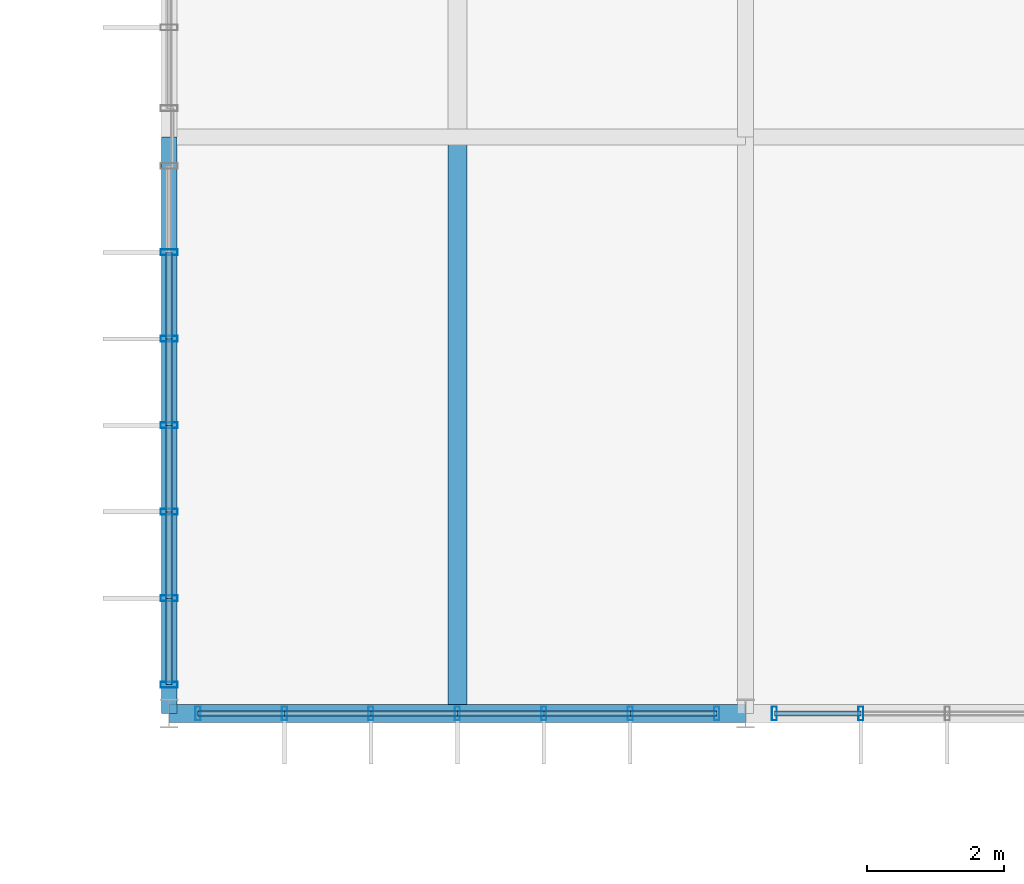
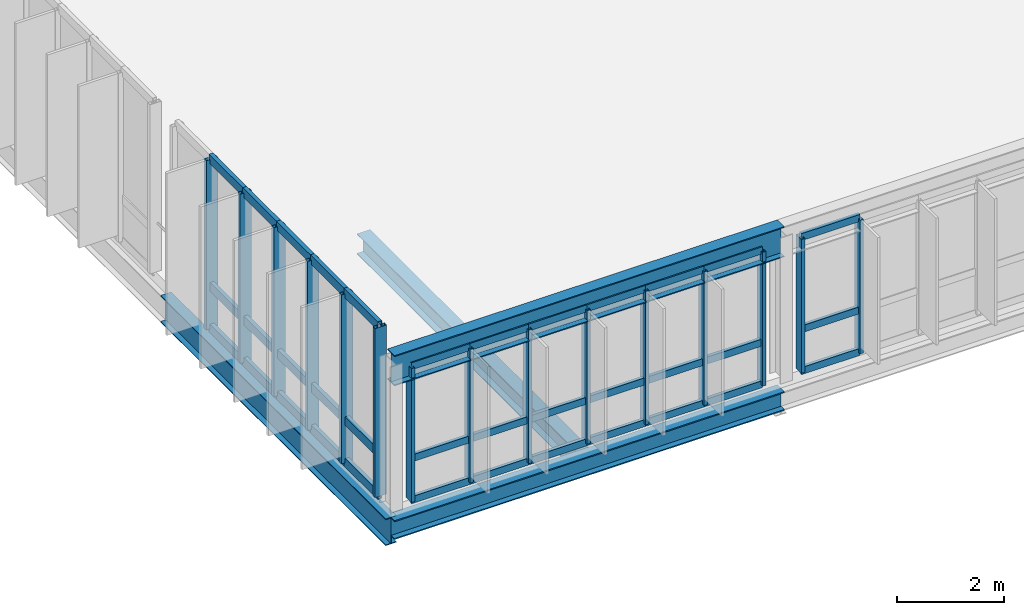
# One storey, part 13 of 107: 51 members, 4 beams, 3 elements without a shape of their own.
"""IFC4 building model written with IfcOpenShell, lengths in metres."""

from ifc_helpers import new_model, si_unit, derived_unit, direction, frame, origin, origin_2d, place, context, subcontext, project, spatial, hollow_rectangle, i_section, extrude, material, layer, layer_set, material_profile, profile_set, type_object, element, aggregate, save


model = new_model("IFC4")

# Units and contexts
model_context = context("Model", 3, precision=1e-05, world=origin(), true_north=direction((0.0, 1.0)))
body_context = subcontext(model_context, "Body", "Model", "MODEL_VIEW")
ifc_project = project(units=[si_unit("LENGTHUNIT", "METRE"), si_unit("AREAUNIT", "SQUARE_METRE"), si_unit("VOLUMEUNIT", "CUBIC_METRE"), si_unit("PLANEANGLEUNIT", "RADIAN"), si_unit("MASSUNIT", "GRAM", prefix="KILO"), derived_unit("THERMALTRANSMITTANCEUNIT", [(si_unit("MASSUNIT", "GRAM", prefix="KILO"), 1), (si_unit("TIMEUNIT", "SECOND"), -3), (si_unit("THERMODYNAMICTEMPERATUREUNIT", "KELVIN"), -1)])], contexts=[model_context])

# Site, building, storey
site_placement = place(None, origin())
site = spatial("IfcSite", under=ifc_project, at=site_placement, CompositionType="ELEMENT")
building_placement = place(site_placement, origin())
building = spatial("IfcBuilding", under=site, at=building_placement, Name="Makaiwela Harbour Ferry Terminal", CompositionType="ELEMENT")
storey_placement = place(building_placement, frame((0.0, 0.0, 9.60009765625)))
storey = spatial("IfcBuildingStorey", under=building, at=storey_placement, Name="L02", CompositionType="ELEMENT", Elevation=9.60009765625)

# Curtain wall, members
ifc_material_1 = material(Name="Marine anodised aluminium 6063-T6", Category="aluminium")
ifc_layer_1 = layer(ifc_material_1, 0.199951171875)
ifc_layer_set_1 = layer_set([ifc_layer_1], Name="Marine anodised aluminium 6063-T6")
curtain_wall_type_1 = type_object("IfcCurtainWallType", Name="ENV-CW-11", PredefinedType="USERDEFINED", material=ifc_layer_set_1)
curtain_wall_1_placement = place(storey_placement, origin())
curtain_wall_1 = element("IfcCurtainWall", 1, at=curtain_wall_1_placement, inside=storey, type_object=curtain_wall_type_1, Name="Unitised Curtain Wall CWA-099", ObjectType="UNITIZED CURTAIN WALL", PredefinedType="USERDEFINED")
ifc_material_profile_1 = material_profile(ifc_material_1, hollow_rectangle(XDim=0.074951171875, YDim=0.199951171875, WallThickness=0.00390625, at=origin_2d()), Name="CWM-200X75")
ifc_profile_set_1 = profile_set([ifc_material_profile_1], Name="Marine anodised aluminium 6063-T6")
member_type_1 = type_object("IfcMemberType", Name="CW-MUL-200", PredefinedType="MULLION", material=ifc_profile_set_1)
member_1_placement = place(storey_placement, frame((37.3798828125, 25.199951171875, 0.0), z_axis=(0.0, 0.0, 1.0), x_axis=(1.0, 0.0, 0.0)))
member_1 = element("IfcMember", 2, at=member_1_placement, type_object=member_type_1, Name="Curtain Wall Mullion CWA-099-1", PredefinedType="MULLION", context=body_context, shape_type="SweptSolid", body=[
    extrude(hollow_rectangle(XDim=0.074951171875, YDim=0.199951171875, WallThickness=0.00390625, at=origin_2d()), origin(), (0.0, 0.0, 1.0), 3.0498046875),
])
member_2_placement = place(storey_placement, frame((36.1201171875, 25.199951171875, 0.0), z_axis=(0.0, 0.0, 1.0), x_axis=(1.0, 0.0, 0.0)))
member_2 = element("IfcMember", 3, at=member_2_placement, type_object=member_type_1, Name="Curtain Wall Mullion CWA-099-2", PredefinedType="MULLION", context=body_context, shape_type="SweptSolid", body=[
    extrude(hollow_rectangle(XDim=0.074951171875, YDim=0.199951171875, WallThickness=0.00390625, at=origin_2d()), origin(), (0.0, 0.0, 1.0), 3.0498046875),
])
member_3_placement = place(storey_placement, frame((34.860107421875, 25.199951171875, 0.0), z_axis=(0.0, 0.0, 1.0), x_axis=(1.0, 0.0, 0.0)))
member_3 = element("IfcMember", 4, at=member_3_placement, type_object=member_type_1, Name="Curtain Wall Mullion CWA-099-3", PredefinedType="MULLION", context=body_context, shape_type="SweptSolid", body=[
    extrude(hollow_rectangle(XDim=0.074951171875, YDim=0.199951171875, WallThickness=0.00390625, at=origin_2d()), origin(), (0.0, 0.0, 1.0), 3.0498046875),
])
member_4_placement = place(storey_placement, frame((33.60009765625, 25.199951171875, 0.0), z_axis=(0.0, 0.0, 1.0), x_axis=(1.0, 0.0, 0.0)))
member_4 = element("IfcMember", 5, at=member_4_placement, type_object=member_type_1, Name="Curtain Wall Mullion CWA-099-4", PredefinedType="MULLION", context=body_context, shape_type="SweptSolid", body=[
    extrude(hollow_rectangle(XDim=0.074951171875, YDim=0.199951171875, WallThickness=0.00390625, at=origin_2d()), origin(), (0.0, 0.0, 1.0), 3.0498046875),
])
member_5_placement = place(storey_placement, frame((32.340087890625, 25.199951171875, 0.0), z_axis=(0.0, 0.0, 1.0), x_axis=(1.0, 0.0, 0.0)))
member_5 = element("IfcMember", 6, at=member_5_placement, type_object=member_type_1, Name="Curtain Wall Mullion CWA-099-5", PredefinedType="MULLION", context=body_context, shape_type="SweptSolid", body=[
    extrude(hollow_rectangle(XDim=0.074951171875, YDim=0.199951171875, WallThickness=0.00390625, at=origin_2d()), origin(), (0.0, 0.0, 1.0), 3.0498046875),
])
member_6_placement = place(storey_placement, frame((31.080078125, 25.199951171875, 0.0), z_axis=(0.0, 0.0, 1.0), x_axis=(1.0, 0.0, 0.0)))
member_6 = element("IfcMember", 7, at=member_6_placement, type_object=member_type_1, Name="Curtain Wall Mullion CWA-099-6", PredefinedType="MULLION", context=body_context, shape_type="SweptSolid", body=[
    extrude(hollow_rectangle(XDim=0.074951171875, YDim=0.199951171875, WallThickness=0.00390625, at=origin_2d()), origin(), (0.0, 0.0, 1.0), 3.0498046875),
])
member_7_placement = place(storey_placement, frame((29.820068359375, 25.199951171875, 0.0), z_axis=(0.0, 0.0, 1.0), x_axis=(1.0, 0.0, 0.0)))
member_7 = element("IfcMember", 8, at=member_7_placement, type_object=member_type_1, Name="Curtain Wall Mullion CWA-099-7", PredefinedType="MULLION", context=body_context, shape_type="SweptSolid", body=[
    extrude(hollow_rectangle(XDim=0.074951171875, YDim=0.199951171875, WallThickness=0.00390625, at=origin_2d()), origin(), (0.0, 0.0, 1.0), 3.0498046875),
])

curtain_wall_2_placement = place(storey_placement, origin())
curtain_wall_2 = element("IfcCurtainWall", 9, at=curtain_wall_2_placement, inside=storey, type_object=curtain_wall_type_1, Name="Unitised Curtain Wall CWA-102", ObjectType="UNITIZED CURTAIN WALL", PredefinedType="USERDEFINED")
member_8_placement = place(storey_placement, frame((39.47998046875, 25.199951171875, 0.0), z_axis=(0.0, 0.0, 1.0), x_axis=(1.0, 0.0, 0.0)))
member_8 = element("IfcMember", 10, at=member_8_placement, type_object=member_type_1, Name="Curtain Wall Mullion CWA-102-6", PredefinedType="MULLION", context=body_context, shape_type="SweptSolid", body=[
    extrude(hollow_rectangle(XDim=0.074951171875, YDim=0.199951171875, WallThickness=0.00390625, at=origin_2d()), origin(), (0.0, 0.0, 1.0), 3.0498046875),
])
member_9_placement = place(storey_placement, frame((38.219970703125, 25.199951171875, 0.0), z_axis=(0.0, 0.0, 1.0), x_axis=(1.0, 0.0, 0.0)))
member_9 = element("IfcMember", 11, at=member_9_placement, type_object=member_type_1, Name="Curtain Wall Mullion CWA-102-7", PredefinedType="MULLION", context=body_context, shape_type="SweptSolid", body=[
    extrude(hollow_rectangle(XDim=0.074951171875, YDim=0.199951171875, WallThickness=0.00390625, at=origin_2d()), origin(), (0.0, 0.0, 1.0), 3.0498046875),
])

ifc_layer_2 = layer(ifc_material_1, 0.199951171875)
ifc_layer_set_2 = layer_set([ifc_layer_2], Name="Marine anodised aluminium 6063-T6")
curtain_wall_type_2 = type_object("IfcCurtainWallType", Name="ENV-CW-09", PredefinedType="USERDEFINED", material=ifc_layer_set_2)
curtain_wall_3_placement = place(storey_placement, origin())
curtain_wall_3 = element("IfcCurtainWall", 12, at=curtain_wall_3_placement, inside=storey, type_object=curtain_wall_type_2, Name="Unitised Curtain Wall CWA-116", ObjectType="UNITIZED CURTAIN WALL", PredefinedType="USERDEFINED")
ifc_material_profile_2 = material_profile(ifc_material_1, hollow_rectangle(XDim=0.0849609375, YDim=0.25, WallThickness=0.0048828125, at=origin_2d()), Name="CWM-250X85")
ifc_profile_set_2 = profile_set([ifc_material_profile_2], Name="Marine anodised aluminium 6063-T6")
member_type_2 = type_object("IfcMemberType", Name="CW-MUL-250", PredefinedType="MULLION", material=ifc_profile_set_2)
member_10_placement = place(storey_placement, frame((29.39990234375, 25.6201171875, 0.0), z_axis=(0.0, 0.0, 1.0), x_axis=(0.0, 1.0, 0.0)))
member_10 = element("IfcMember", 13, at=member_10_placement, type_object=member_type_2, Name="Curtain Wall Mullion CWA-116-1", PredefinedType="MULLION", context=body_context, shape_type="SweptSolid", body=[
    extrude(hollow_rectangle(XDim=0.0849609375, YDim=0.25, WallThickness=0.0048828125, at=origin_2d()), origin(), (0.0, 0.0, 1.0), 3.849853515625),
])
member_11_placement = place(storey_placement, frame((29.39990234375, 26.8798828125, 0.0), z_axis=(0.0, 0.0, 1.0), x_axis=(0.0, 1.0, 0.0)))
member_11 = element("IfcMember", 14, at=member_11_placement, type_object=member_type_2, Name="Curtain Wall Mullion CWA-116-2", PredefinedType="MULLION", context=body_context, shape_type="SweptSolid", body=[
    extrude(hollow_rectangle(XDim=0.0849609375, YDim=0.25, WallThickness=0.0048828125, at=origin_2d()), origin(), (0.0, 0.0, 1.0), 3.849853515625),
])
member_12_placement = place(storey_placement, frame((29.39990234375, 28.139892578125, 0.0), z_axis=(0.0, 0.0, 1.0), x_axis=(0.0, 1.0, 0.0)))
member_12 = element("IfcMember", 15, at=member_12_placement, type_object=member_type_2, Name="Curtain Wall Mullion CWA-116-3", PredefinedType="MULLION", context=body_context, shape_type="SweptSolid", body=[
    extrude(hollow_rectangle(XDim=0.0849609375, YDim=0.25, WallThickness=0.0048828125, at=origin_2d()), origin(), (0.0, 0.0, 1.0), 3.849853515625),
])
member_13_placement = place(storey_placement, frame((29.39990234375, 29.39990234375, 0.0), z_axis=(0.0, 0.0, 1.0), x_axis=(0.0, 1.0, 0.0)))
member_13 = element("IfcMember", 16, at=member_13_placement, type_object=member_type_2, Name="Curtain Wall Mullion CWA-116-4", PredefinedType="MULLION", context=body_context, shape_type="SweptSolid", body=[
    extrude(hollow_rectangle(XDim=0.0849609375, YDim=0.25, WallThickness=0.0048828125, at=origin_2d()), origin(), (0.0, 0.0, 1.0), 3.849853515625),
])
member_14_placement = place(storey_placement, frame((29.39990234375, 30.659912109375, 0.0), z_axis=(0.0, 0.0, 1.0), x_axis=(0.0, 1.0, 0.0)))
member_14 = element("IfcMember", 17, at=member_14_placement, type_object=member_type_2, Name="Curtain Wall Mullion CWA-116-5", PredefinedType="MULLION", context=body_context, shape_type="SweptSolid", body=[
    extrude(hollow_rectangle(XDim=0.0849609375, YDim=0.25, WallThickness=0.0048828125, at=origin_2d()), origin(), (0.0, 0.0, 1.0), 3.849853515625),
])
member_15_placement = place(storey_placement, frame((29.39990234375, 31.919921875, 0.0), z_axis=(0.0, 0.0, 1.0), x_axis=(0.0, 1.0, 0.0)))
member_15 = element("IfcMember", 18, at=member_15_placement, type_object=member_type_2, Name="Curtain Wall Mullion CWA-116-6", PredefinedType="MULLION", context=body_context, shape_type="SweptSolid", body=[
    extrude(hollow_rectangle(XDim=0.0849609375, YDim=0.25, WallThickness=0.0048828125, at=origin_2d()), origin(), (0.0, 0.0, 1.0), 3.849853515625),
])

# Member
ifc_material_profile_3 = material_profile(ifc_material_1, hollow_rectangle(XDim=0.074951171875, YDim=0.159912109375, WallThickness=0.00390625, at=origin_2d()), Name="CWT-160X75")
ifc_profile_set_3 = profile_set([ifc_material_profile_3], Name="Marine anodised aluminium 6063-T6")
member_type_3 = type_object("IfcMemberType", Name="CW-TRN-160", PredefinedType="USERDEFINED", material=ifc_profile_set_3)
member_16_placement = place(storey_placement, frame((37.3798828125, 25.199951171875, 0.0), z_axis=(-1.0, 0.0, 0.0), x_axis=(0.0, -1.0, 0.0)))
member_16 = element("IfcMember", 19, at=member_16_placement, type_object=member_type_3, Name="Curtain Wall Transom CWA-099-1-1", ObjectType="TRANSOM", PredefinedType="USERDEFINED", context=body_context, shape_type="SweptSolid", body=[
    extrude(hollow_rectangle(XDim=0.074951171875, YDim=0.159912109375, WallThickness=0.00390625, at=origin_2d()), origin(), (0.0, 0.0, 1.0), 1.259765625),
])

member_17_placement = place(storey_placement, frame((37.3798828125, 25.199951171875, 0.949951171875), z_axis=(-1.0, 0.0, 0.0), x_axis=(0.0, -1.0, 0.0)))
member_17 = element("IfcMember", 20, at=member_17_placement, type_object=member_type_3, Name="Curtain Wall Transom CWA-099-1-2", ObjectType="TRANSOM", PredefinedType="USERDEFINED", context=body_context, shape_type="SweptSolid", body=[
    extrude(hollow_rectangle(XDim=0.074951171875, YDim=0.159912109375, WallThickness=0.00390625, at=origin_2d()), origin(), (0.0, 0.0, 1.0), 1.259765625),
])

member_18_placement = place(storey_placement, frame((37.3798828125, 25.199951171875, 3.0498046875), z_axis=(-1.0, 0.0, 0.0), x_axis=(0.0, -1.0, 0.0)))
member_18 = element("IfcMember", 21, at=member_18_placement, type_object=member_type_3, Name="Curtain Wall Transom CWA-099-1-3", ObjectType="TRANSOM", PredefinedType="USERDEFINED", context=body_context, shape_type="SweptSolid", body=[
    extrude(hollow_rectangle(XDim=0.074951171875, YDim=0.159912109375, WallThickness=0.00390625, at=origin_2d()), origin(), (0.0, 0.0, 1.0), 1.259765625),
])

member_19_placement = place(storey_placement, frame((36.1201171875, 25.199951171875, 0.0), z_axis=(-1.0, 0.0, 0.0), x_axis=(0.0, -1.0, 0.0)))
member_19 = element("IfcMember", 22, at=member_19_placement, type_object=member_type_3, Name="Curtain Wall Transom CWA-099-2-1", ObjectType="TRANSOM", PredefinedType="USERDEFINED", context=body_context, shape_type="SweptSolid", body=[
    extrude(hollow_rectangle(XDim=0.074951171875, YDim=0.159912109375, WallThickness=0.00390625, at=origin_2d()), origin(), (0.0, 0.0, 1.0), 1.260009765625),
])

member_20_placement = place(storey_placement, frame((36.1201171875, 25.199951171875, 0.949951171875), z_axis=(-1.0, 0.0, 0.0), x_axis=(0.0, -1.0, 0.0)))
member_20 = element("IfcMember", 23, at=member_20_placement, type_object=member_type_3, Name="Curtain Wall Transom CWA-099-2-2", ObjectType="TRANSOM", PredefinedType="USERDEFINED", context=body_context, shape_type="SweptSolid", body=[
    extrude(hollow_rectangle(XDim=0.074951171875, YDim=0.159912109375, WallThickness=0.00390625, at=origin_2d()), origin(), (0.0, 0.0, 1.0), 1.260009765625),
])

member_21_placement = place(storey_placement, frame((36.1201171875, 25.199951171875, 3.0498046875), z_axis=(-1.0, 0.0, 0.0), x_axis=(0.0, -1.0, 0.0)))
member_21 = element("IfcMember", 24, at=member_21_placement, type_object=member_type_3, Name="Curtain Wall Transom CWA-099-2-3", ObjectType="TRANSOM", PredefinedType="USERDEFINED", context=body_context, shape_type="SweptSolid", body=[
    extrude(hollow_rectangle(XDim=0.074951171875, YDim=0.159912109375, WallThickness=0.00390625, at=origin_2d()), origin(), (0.0, 0.0, 1.0), 1.260009765625),
])

member_22_placement = place(storey_placement, frame((34.860107421875, 25.199951171875, 0.0), z_axis=(-1.0, 0.0, 0.0), x_axis=(0.0, -1.0, 0.0)))
member_22 = element("IfcMember", 25, at=member_22_placement, type_object=member_type_3, Name="Curtain Wall Transom CWA-099-3-1", ObjectType="TRANSOM", PredefinedType="USERDEFINED", context=body_context, shape_type="SweptSolid", body=[
    extrude(hollow_rectangle(XDim=0.074951171875, YDim=0.159912109375, WallThickness=0.00390625, at=origin_2d()), origin(), (0.0, 0.0, 1.0), 1.260009765625),
])

member_23_placement = place(storey_placement, frame((34.860107421875, 25.199951171875, 0.949951171875), z_axis=(-1.0, 0.0, 0.0), x_axis=(0.0, -1.0, 0.0)))
member_23 = element("IfcMember", 26, at=member_23_placement, type_object=member_type_3, Name="Curtain Wall Transom CWA-099-3-2", ObjectType="TRANSOM", PredefinedType="USERDEFINED", context=body_context, shape_type="SweptSolid", body=[
    extrude(hollow_rectangle(XDim=0.074951171875, YDim=0.159912109375, WallThickness=0.00390625, at=origin_2d()), origin(), (0.0, 0.0, 1.0), 1.260009765625),
])

member_24_placement = place(storey_placement, frame((34.860107421875, 25.199951171875, 3.0498046875), z_axis=(-1.0, 0.0, 0.0), x_axis=(0.0, -1.0, 0.0)))
member_24 = element("IfcMember", 27, at=member_24_placement, type_object=member_type_3, Name="Curtain Wall Transom CWA-099-3-3", ObjectType="TRANSOM", PredefinedType="USERDEFINED", context=body_context, shape_type="SweptSolid", body=[
    extrude(hollow_rectangle(XDim=0.074951171875, YDim=0.159912109375, WallThickness=0.00390625, at=origin_2d()), origin(), (0.0, 0.0, 1.0), 1.260009765625),
])

member_25_placement = place(storey_placement, frame((33.60009765625, 25.199951171875, 0.0), z_axis=(-1.0, 0.0, 0.0), x_axis=(0.0, -1.0, 0.0)))
member_25 = element("IfcMember", 28, at=member_25_placement, type_object=member_type_3, Name="Curtain Wall Transom CWA-099-4-1", ObjectType="TRANSOM", PredefinedType="USERDEFINED", context=body_context, shape_type="SweptSolid", body=[
    extrude(hollow_rectangle(XDim=0.074951171875, YDim=0.159912109375, WallThickness=0.00390625, at=origin_2d()), origin(), (0.0, 0.0, 1.0), 1.260009765625),
])

member_26_placement = place(storey_placement, frame((33.60009765625, 25.199951171875, 0.949951171875), z_axis=(-1.0, 0.0, 0.0), x_axis=(0.0, -1.0, 0.0)))
member_26 = element("IfcMember", 29, at=member_26_placement, type_object=member_type_3, Name="Curtain Wall Transom CWA-099-4-2", ObjectType="TRANSOM", PredefinedType="USERDEFINED", context=body_context, shape_type="SweptSolid", body=[
    extrude(hollow_rectangle(XDim=0.074951171875, YDim=0.159912109375, WallThickness=0.00390625, at=origin_2d()), origin(), (0.0, 0.0, 1.0), 1.260009765625),
])

member_27_placement = place(storey_placement, frame((33.60009765625, 25.199951171875, 3.0498046875), z_axis=(-1.0, 0.0, 0.0), x_axis=(0.0, -1.0, 0.0)))
member_27 = element("IfcMember", 30, at=member_27_placement, type_object=member_type_3, Name="Curtain Wall Transom CWA-099-4-3", ObjectType="TRANSOM", PredefinedType="USERDEFINED", context=body_context, shape_type="SweptSolid", body=[
    extrude(hollow_rectangle(XDim=0.074951171875, YDim=0.159912109375, WallThickness=0.00390625, at=origin_2d()), origin(), (0.0, 0.0, 1.0), 1.260009765625),
])

member_28_placement = place(storey_placement, frame((32.340087890625, 25.199951171875, 0.0), z_axis=(-1.0, 0.0, 0.0), x_axis=(0.0, -1.0, 0.0)))
member_28 = element("IfcMember", 31, at=member_28_placement, type_object=member_type_3, Name="Curtain Wall Transom CWA-099-5-1", ObjectType="TRANSOM", PredefinedType="USERDEFINED", context=body_context, shape_type="SweptSolid", body=[
    extrude(hollow_rectangle(XDim=0.074951171875, YDim=0.159912109375, WallThickness=0.00390625, at=origin_2d()), origin(), (0.0, 0.0, 1.0), 1.260009765625),
])

member_29_placement = place(storey_placement, frame((32.340087890625, 25.199951171875, 0.949951171875), z_axis=(-1.0, 0.0, 0.0), x_axis=(0.0, -1.0, 0.0)))
member_29 = element("IfcMember", 32, at=member_29_placement, type_object=member_type_3, Name="Curtain Wall Transom CWA-099-5-2", ObjectType="TRANSOM", PredefinedType="USERDEFINED", context=body_context, shape_type="SweptSolid", body=[
    extrude(hollow_rectangle(XDim=0.074951171875, YDim=0.159912109375, WallThickness=0.00390625, at=origin_2d()), origin(), (0.0, 0.0, 1.0), 1.260009765625),
])

member_30_placement = place(storey_placement, frame((32.340087890625, 25.199951171875, 3.0498046875), z_axis=(-1.0, 0.0, 0.0), x_axis=(0.0, -1.0, 0.0)))
member_30 = element("IfcMember", 33, at=member_30_placement, type_object=member_type_3, Name="Curtain Wall Transom CWA-099-5-3", ObjectType="TRANSOM", PredefinedType="USERDEFINED", context=body_context, shape_type="SweptSolid", body=[
    extrude(hollow_rectangle(XDim=0.074951171875, YDim=0.159912109375, WallThickness=0.00390625, at=origin_2d()), origin(), (0.0, 0.0, 1.0), 1.260009765625),
])

member_31_placement = place(storey_placement, frame((31.080078125, 25.199951171875, 0.0), z_axis=(-1.0, 0.0, 0.0), x_axis=(0.0, -1.0, 0.0)))
member_31 = element("IfcMember", 34, at=member_31_placement, type_object=member_type_3, Name="Curtain Wall Transom CWA-099-6-1", ObjectType="TRANSOM", PredefinedType="USERDEFINED", context=body_context, shape_type="SweptSolid", body=[
    extrude(hollow_rectangle(XDim=0.074951171875, YDim=0.159912109375, WallThickness=0.00390625, at=origin_2d()), origin(), (0.0, 0.0, 1.0), 1.260009765625),
])

member_32_placement = place(storey_placement, frame((31.080078125, 25.199951171875, 0.949951171875), z_axis=(-1.0, 0.0, 0.0), x_axis=(0.0, -1.0, 0.0)))
member_32 = element("IfcMember", 35, at=member_32_placement, type_object=member_type_3, Name="Curtain Wall Transom CWA-099-6-2", ObjectType="TRANSOM", PredefinedType="USERDEFINED", context=body_context, shape_type="SweptSolid", body=[
    extrude(hollow_rectangle(XDim=0.074951171875, YDim=0.159912109375, WallThickness=0.00390625, at=origin_2d()), origin(), (0.0, 0.0, 1.0), 1.260009765625),
])

member_33_placement = place(storey_placement, frame((31.080078125, 25.199951171875, 3.0498046875), z_axis=(-1.0, 0.0, 0.0), x_axis=(0.0, -1.0, 0.0)))
member_33 = element("IfcMember", 36, at=member_33_placement, type_object=member_type_3, Name="Curtain Wall Transom CWA-099-6-3", ObjectType="TRANSOM", PredefinedType="USERDEFINED", context=body_context, shape_type="SweptSolid", body=[
    extrude(hollow_rectangle(XDim=0.074951171875, YDim=0.159912109375, WallThickness=0.00390625, at=origin_2d()), origin(), (0.0, 0.0, 1.0), 1.260009765625),
])

aggregate(curtain_wall_1, [member_1, member_2, member_3, member_4, member_5, member_6, member_7, member_16, member_17, member_18, member_19, member_20, member_21, member_22, member_23, member_24, member_25, member_26, member_27, member_28, member_29, member_30, member_31, member_32, member_33])

member_34_placement = place(storey_placement, frame((39.47998046875, 25.199951171875, 0.0), z_axis=(-1.0, 0.0, 0.0), x_axis=(0.0, -1.0, 0.0)))
member_34 = element("IfcMember", 37, at=member_34_placement, type_object=member_type_3, Name="Curtain Wall Transom CWA-102-6-1", ObjectType="TRANSOM", PredefinedType="USERDEFINED", context=body_context, shape_type="SweptSolid", body=[
    extrude(hollow_rectangle(XDim=0.074951171875, YDim=0.159912109375, WallThickness=0.00390625, at=origin_2d()), origin(), (0.0, 0.0, 1.0), 1.260009765625),
])

member_35_placement = place(storey_placement, frame((39.47998046875, 25.199951171875, 0.949951171875), z_axis=(-1.0, 0.0, 0.0), x_axis=(0.0, -1.0, 0.0)))
member_35 = element("IfcMember", 38, at=member_35_placement, type_object=member_type_3, Name="Curtain Wall Transom CWA-102-6-2", ObjectType="TRANSOM", PredefinedType="USERDEFINED", context=body_context, shape_type="SweptSolid", body=[
    extrude(hollow_rectangle(XDim=0.074951171875, YDim=0.159912109375, WallThickness=0.00390625, at=origin_2d()), origin(), (0.0, 0.0, 1.0), 1.260009765625),
])

member_36_placement = place(storey_placement, frame((39.47998046875, 25.199951171875, 3.0498046875), z_axis=(-1.0, 0.0, 0.0), x_axis=(0.0, -1.0, 0.0)))
member_36 = element("IfcMember", 39, at=member_36_placement, type_object=member_type_3, Name="Curtain Wall Transom CWA-102-6-3", ObjectType="TRANSOM", PredefinedType="USERDEFINED", context=body_context, shape_type="SweptSolid", body=[
    extrude(hollow_rectangle(XDim=0.074951171875, YDim=0.159912109375, WallThickness=0.00390625, at=origin_2d()), origin(), (0.0, 0.0, 1.0), 1.260009765625),
])

aggregate(curtain_wall_2, [member_8, member_9, member_34, member_35, member_36])

ifc_material_profile_4 = material_profile(ifc_material_1, hollow_rectangle(XDim=0.0849609375, YDim=0.199951171875, WallThickness=0.0048828125, at=origin_2d()), Name="CWT-200X85")
ifc_profile_set_4 = profile_set([ifc_material_profile_4], Name="Marine anodised aluminium 6063-T6")
member_type_4 = type_object("IfcMemberType", Name="CW-TRN-200", PredefinedType="USERDEFINED", material=ifc_profile_set_4)
member_37_placement = place(storey_placement, frame((29.39990234375, 25.6201171875, 0.0), z_axis=(0.0, 1.0, 0.0), x_axis=(-1.0, 0.0, 0.0)))
member_37 = element("IfcMember", 40, at=member_37_placement, type_object=member_type_4, Name="Curtain Wall Transom CWA-116-1-1", ObjectType="TRANSOM", PredefinedType="USERDEFINED", context=body_context, shape_type="SweptSolid", body=[
    extrude(hollow_rectangle(XDim=0.0849609375, YDim=0.199951171875, WallThickness=0.0048828125, at=origin_2d()), origin(), (0.0, 0.0, 1.0), 1.259765625),
])

member_38_placement = place(storey_placement, frame((29.39990234375, 25.6201171875, 0.949951171875), z_axis=(0.0, 1.0, 0.0), x_axis=(-1.0, 0.0, 0.0)))
member_38 = element("IfcMember", 41, at=member_38_placement, type_object=member_type_4, Name="Curtain Wall Transom CWA-116-1-2", ObjectType="TRANSOM", PredefinedType="USERDEFINED", context=body_context, shape_type="SweptSolid", body=[
    extrude(hollow_rectangle(XDim=0.0849609375, YDim=0.199951171875, WallThickness=0.0048828125, at=origin_2d()), origin(), (0.0, 0.0, 1.0), 1.259765625),
])

member_39_placement = place(storey_placement, frame((29.39990234375, 25.6201171875, 3.849853515625), z_axis=(0.0, 1.0, 0.0), x_axis=(-1.0, 0.0, 0.0)))
member_39 = element("IfcMember", 42, at=member_39_placement, type_object=member_type_4, Name="Curtain Wall Transom CWA-116-1-3", ObjectType="TRANSOM", PredefinedType="USERDEFINED", context=body_context, shape_type="SweptSolid", body=[
    extrude(hollow_rectangle(XDim=0.0849609375, YDim=0.199951171875, WallThickness=0.0048828125, at=origin_2d()), origin(), (0.0, 0.0, 1.0), 1.259765625),
])

member_40_placement = place(storey_placement, frame((29.39990234375, 26.8798828125, 0.0), z_axis=(0.0, 1.0, 0.0), x_axis=(-1.0, 0.0, 0.0)))
member_40 = element("IfcMember", 43, at=member_40_placement, type_object=member_type_4, Name="Curtain Wall Transom CWA-116-2-1", ObjectType="TRANSOM", PredefinedType="USERDEFINED", context=body_context, shape_type="SweptSolid", body=[
    extrude(hollow_rectangle(XDim=0.0849609375, YDim=0.199951171875, WallThickness=0.0048828125, at=origin_2d()), origin(), (0.0, 0.0, 1.0), 1.260009765625),
])

member_41_placement = place(storey_placement, frame((29.39990234375, 26.8798828125, 0.949951171875), z_axis=(0.0, 1.0, 0.0), x_axis=(-1.0, 0.0, 0.0)))
member_41 = element("IfcMember", 44, at=member_41_placement, type_object=member_type_4, Name="Curtain Wall Transom CWA-116-2-2", ObjectType="TRANSOM", PredefinedType="USERDEFINED", context=body_context, shape_type="SweptSolid", body=[
    extrude(hollow_rectangle(XDim=0.0849609375, YDim=0.199951171875, WallThickness=0.0048828125, at=origin_2d()), origin(), (0.0, 0.0, 1.0), 1.260009765625),
])

member_42_placement = place(storey_placement, frame((29.39990234375, 26.8798828125, 3.849853515625), z_axis=(0.0, 1.0, 0.0), x_axis=(-1.0, 0.0, 0.0)))
member_42 = element("IfcMember", 45, at=member_42_placement, type_object=member_type_4, Name="Curtain Wall Transom CWA-116-2-3", ObjectType="TRANSOM", PredefinedType="USERDEFINED", context=body_context, shape_type="SweptSolid", body=[
    extrude(hollow_rectangle(XDim=0.0849609375, YDim=0.199951171875, WallThickness=0.0048828125, at=origin_2d()), origin(), (0.0, 0.0, 1.0), 1.260009765625),
])

member_43_placement = place(storey_placement, frame((29.39990234375, 28.139892578125, 0.0), z_axis=(0.0, 1.0, 0.0), x_axis=(-1.0, 0.0, 0.0)))
member_43 = element("IfcMember", 46, at=member_43_placement, type_object=member_type_4, Name="Curtain Wall Transom CWA-116-3-1", ObjectType="TRANSOM", PredefinedType="USERDEFINED", context=body_context, shape_type="SweptSolid", body=[
    extrude(hollow_rectangle(XDim=0.0849609375, YDim=0.199951171875, WallThickness=0.0048828125, at=origin_2d()), origin(), (0.0, 0.0, 1.0), 1.260009765625),
])

member_44_placement = place(storey_placement, frame((29.39990234375, 28.139892578125, 0.949951171875), z_axis=(0.0, 1.0, 0.0), x_axis=(-1.0, 0.0, 0.0)))
member_44 = element("IfcMember", 47, at=member_44_placement, type_object=member_type_4, Name="Curtain Wall Transom CWA-116-3-2", ObjectType="TRANSOM", PredefinedType="USERDEFINED", context=body_context, shape_type="SweptSolid", body=[
    extrude(hollow_rectangle(XDim=0.0849609375, YDim=0.199951171875, WallThickness=0.0048828125, at=origin_2d()), origin(), (0.0, 0.0, 1.0), 1.260009765625),
])

member_45_placement = place(storey_placement, frame((29.39990234375, 28.139892578125, 3.849853515625), z_axis=(0.0, 1.0, 0.0), x_axis=(-1.0, 0.0, 0.0)))
member_45 = element("IfcMember", 48, at=member_45_placement, type_object=member_type_4, Name="Curtain Wall Transom CWA-116-3-3", ObjectType="TRANSOM", PredefinedType="USERDEFINED", context=body_context, shape_type="SweptSolid", body=[
    extrude(hollow_rectangle(XDim=0.0849609375, YDim=0.199951171875, WallThickness=0.0048828125, at=origin_2d()), origin(), (0.0, 0.0, 1.0), 1.260009765625),
])

member_46_placement = place(storey_placement, frame((29.39990234375, 29.39990234375, 0.0), z_axis=(0.0, 1.0, 0.0), x_axis=(-1.0, 0.0, 0.0)))
member_46 = element("IfcMember", 49, at=member_46_placement, type_object=member_type_4, Name="Curtain Wall Transom CWA-116-4-1", ObjectType="TRANSOM", PredefinedType="USERDEFINED", context=body_context, shape_type="SweptSolid", body=[
    extrude(hollow_rectangle(XDim=0.0849609375, YDim=0.199951171875, WallThickness=0.0048828125, at=origin_2d()), origin(), (0.0, 0.0, 1.0), 1.260009765625),
])

member_47_placement = place(storey_placement, frame((29.39990234375, 29.39990234375, 0.949951171875), z_axis=(0.0, 1.0, 0.0), x_axis=(-1.0, 0.0, 0.0)))
member_47 = element("IfcMember", 50, at=member_47_placement, type_object=member_type_4, Name="Curtain Wall Transom CWA-116-4-2", ObjectType="TRANSOM", PredefinedType="USERDEFINED", context=body_context, shape_type="SweptSolid", body=[
    extrude(hollow_rectangle(XDim=0.0849609375, YDim=0.199951171875, WallThickness=0.0048828125, at=origin_2d()), origin(), (0.0, 0.0, 1.0), 1.260009765625),
])

member_48_placement = place(storey_placement, frame((29.39990234375, 29.39990234375, 3.849853515625), z_axis=(0.0, 1.0, 0.0), x_axis=(-1.0, 0.0, 0.0)))
member_48 = element("IfcMember", 51, at=member_48_placement, type_object=member_type_4, Name="Curtain Wall Transom CWA-116-4-3", ObjectType="TRANSOM", PredefinedType="USERDEFINED", context=body_context, shape_type="SweptSolid", body=[
    extrude(hollow_rectangle(XDim=0.0849609375, YDim=0.199951171875, WallThickness=0.0048828125, at=origin_2d()), origin(), (0.0, 0.0, 1.0), 1.260009765625),
])

member_49_placement = place(storey_placement, frame((29.39990234375, 30.659912109375, 0.0), z_axis=(0.0, 1.0, 0.0), x_axis=(-1.0, 0.0, 0.0)))
member_49 = element("IfcMember", 52, at=member_49_placement, type_object=member_type_4, Name="Curtain Wall Transom CWA-116-5-1", ObjectType="TRANSOM", PredefinedType="USERDEFINED", context=body_context, shape_type="SweptSolid", body=[
    extrude(hollow_rectangle(XDim=0.0849609375, YDim=0.199951171875, WallThickness=0.0048828125, at=origin_2d()), origin(), (0.0, 0.0, 1.0), 1.260009765625),
])

member_50_placement = place(storey_placement, frame((29.39990234375, 30.659912109375, 0.949951171875), z_axis=(0.0, 1.0, 0.0), x_axis=(-1.0, 0.0, 0.0)))
member_50 = element("IfcMember", 53, at=member_50_placement, type_object=member_type_4, Name="Curtain Wall Transom CWA-116-5-2", ObjectType="TRANSOM", PredefinedType="USERDEFINED", context=body_context, shape_type="SweptSolid", body=[
    extrude(hollow_rectangle(XDim=0.0849609375, YDim=0.199951171875, WallThickness=0.0048828125, at=origin_2d()), origin(), (0.0, 0.0, 1.0), 1.260009765625),
])

member_51_placement = place(storey_placement, frame((29.39990234375, 30.659912109375, 3.849853515625), z_axis=(0.0, 1.0, 0.0), x_axis=(-1.0, 0.0, 0.0)))
member_51 = element("IfcMember", 54, at=member_51_placement, type_object=member_type_4, Name="Curtain Wall Transom CWA-116-5-3", ObjectType="TRANSOM", PredefinedType="USERDEFINED", context=body_context, shape_type="SweptSolid", body=[
    extrude(hollow_rectangle(XDim=0.0849609375, YDim=0.199951171875, WallThickness=0.0048828125, at=origin_2d()), origin(), (0.0, 0.0, 1.0), 1.260009765625),
])

aggregate(curtain_wall_3, [member_10, member_11, member_12, member_13, member_14, member_15, member_37, member_38, member_39, member_40, member_41, member_42, member_43, member_44, member_45, member_46, member_47, member_48, member_49, member_50, member_51])

# Beams
ifc_material_2 = material(Name="Steel ASTM A992 Grade 50", Category="steel")
ifc_material_profile_5 = material_profile(ifc_material_2, i_section(OverallWidth=0.280029296875, OverallDepth=0.462890625, WebThickness=0.0107421875, FlangeThickness=0.017333984375, at=origin_2d()), Name="W18X76")
ifc_profile_set_5 = profile_set([ifc_material_profile_5], Name="Steel ASTM A992 Grade 50")
beam_type_1 = type_object("IfcBeamType", Name="STR-BM-W18X76", PredefinedType="BEAM", material=ifc_profile_set_5)
beam_1_placement = place(storey_placement, frame((33.60009765625, 25.314453125, -0.49169921875), z_axis=(0.0, 1.0, 0.0), x_axis=(-1.0, 0.0, 0.0)))
element("IfcBeam", 55, at=beam_1_placement, inside=storey, type_object=beam_type_1, Name="Secondary floor beam 1457", PredefinedType="BEAM", context=body_context, shape_type="SweptSolid", body=[
    extrude(i_section(OverallWidth=0.280029296875, OverallDepth=0.462890625, WebThickness=0.0107421875, FlangeThickness=0.017333984375, at=origin_2d()), origin(), (0.0, 0.0, 1.0), 8.18896484375),
])
ifc_material_profile_6 = material_profile(ifc_material_2, i_section(OverallWidth=0.22900390625, OverallDepth=0.612060546875, WebThickness=0.011962890625, FlangeThickness=0.01953125, at=origin_2d()), Name="W24X84")
ifc_profile_set_6 = profile_set([ifc_material_profile_6], Name="Steel ASTM A992 Grade 50")
beam_type_2 = type_object("IfcBeamType", Name="STR-GRD-W24X84", PredefinedType="USERDEFINED", material=ifc_profile_set_6)
beam_2_placement = place(storey_placement, frame((29.39990234375, 25.199951171875, -0.566162109375), z_axis=(0.0, 1.0, 0.0), x_axis=(-1.0, 0.0, 0.0)))
element("IfcBeam", 56, at=beam_2_placement, inside=storey, type_object=beam_type_2, Name="Primary Y girder 1346", ObjectType="GIRDER", PredefinedType="USERDEFINED", context=body_context, shape_type="SweptSolid", body=[
    extrude(i_section(OverallWidth=0.22900390625, OverallDepth=0.612060546875, WebThickness=0.011962890625, FlangeThickness=0.01953125, at=origin_2d()), origin(), (0.0, 0.0, 1.0), 8.400146484375),
])
ifc_material_profile_7 = material_profile(ifc_material_2, i_section(OverallWidth=0.256103515625, OverallDepth=0.693115234375, WebThickness=0.014404296875, FlangeThickness=0.023681640625, at=origin_2d()), Name="W27X114")
ifc_profile_set_7 = profile_set([ifc_material_profile_7], Name="Steel ASTM A992 Grade 50")
beam_type_3 = type_object("IfcBeamType", Name="STR-GRD-W27X114", PredefinedType="USERDEFINED", material=ifc_profile_set_7)
beam_3_placement = place(storey_placement, frame((29.39990234375, 25.199951171875, 3.14990234375), z_axis=(1.0, 0.0, 0.0), x_axis=(0.0, 1.0, 0.0)))
element("IfcBeam", 57, at=beam_3_placement, inside=storey, type_object=beam_type_3, Name="Arrivals vault springing tie girder D-1", ObjectType="GIRDER", PredefinedType="USERDEFINED", context=body_context, shape_type="SweptSolid", body=[
    extrude(i_section(OverallWidth=0.256103515625, OverallDepth=0.693115234375, WebThickness=0.014404296875, FlangeThickness=0.023681640625, at=origin_2d()), origin(), (0.0, 0.0, 1.0), 8.400146484375),
])
ifc_material_profile_8 = material_profile(ifc_material_2, i_section(OverallWidth=0.264892578125, OverallDepth=0.430908203125, WebThickness=0.014892578125, FlangeThickness=0.02490234375, at=origin_2d()), Name="W16X100")
ifc_profile_set_8 = profile_set([ifc_material_profile_8], Name="Steel ASTM A992 Grade 50")
beam_type_4 = type_object("IfcBeamType", Name="STR-SPN-W16X100", PredefinedType="SPANDREL", material=ifc_profile_set_8)
beam_4_placement = place(storey_placement, frame((29.39990234375, 25.199951171875, -0.4755859375), z_axis=(1.0, 0.0, 0.0), x_axis=(0.0, 1.0, 0.0)))
element("IfcBeam", 58, at=beam_4_placement, inside=storey, type_object=beam_type_4, Name="Primary X girder 1223", PredefinedType="SPANDREL", context=body_context, shape_type="SweptSolid", body=[
    extrude(i_section(OverallWidth=0.264892578125, OverallDepth=0.430908203125, WebThickness=0.014892578125, FlangeThickness=0.02490234375, at=origin_2d()), origin(), (0.0, 0.0, 1.0), 8.400146484375),
])

save(model, "model.ifc")
